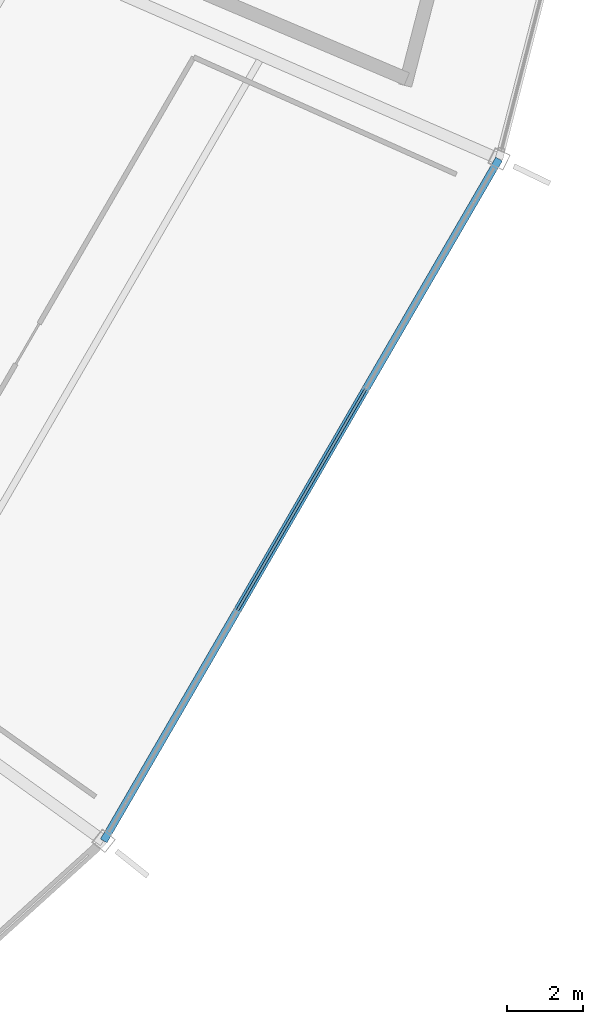
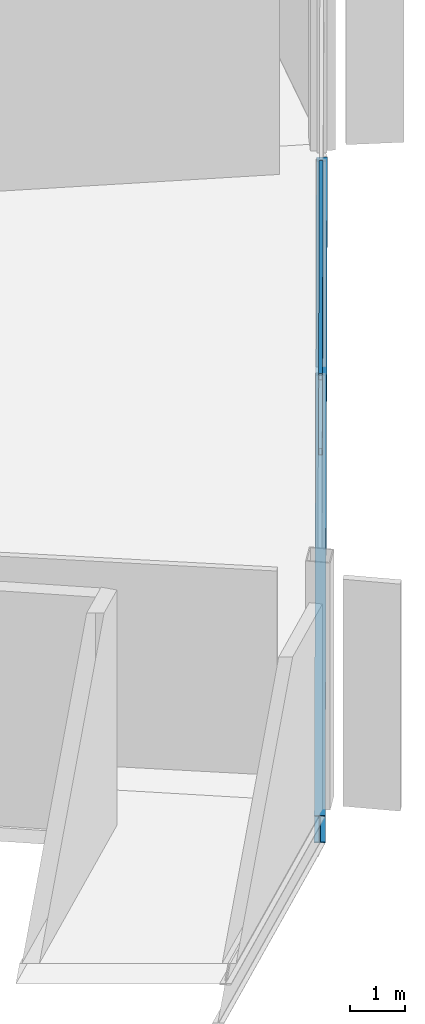
# One storey, part 62 of 186: 2 members, 1 beam, 1 element without a shape of its own.
"""IFC4 building model written with IfcOpenShell, lengths in metres."""

from ifc_helpers import new_model, si_unit, direction, frame, origin, origin_2d, place, context, subcontext, project, spatial, hollow_rectangle, i_section, extrude, material, layer, layer_set, material_profile, profile_set, type_object, element, aggregate, save


model = new_model("IFC4")

# Units and contexts
model_context = context("Model", 3, precision=1e-05, world=origin(), true_north=direction((0.0, 1.0)))
body_context = subcontext(model_context, "Body", "Model", "MODEL_VIEW")
ifc_project = project(units=[si_unit("LENGTHUNIT", "METRE"), si_unit("AREAUNIT", "SQUARE_METRE"), si_unit("VOLUMEUNIT", "CUBIC_METRE"), si_unit("PLANEANGLEUNIT", "RADIAN"), si_unit("MASSUNIT", "GRAM", prefix="KILO")], contexts=[model_context])

# Site, building, storey
site_placement = place(None, origin())
site = spatial("IfcSite", under=ifc_project, at=site_placement, CompositionType="ELEMENT")
building_placement = place(site_placement, origin())
building = spatial("IfcBuilding", under=site, at=building_placement, Name="Kazemori Nagisa Stadium", CompositionType="ELEMENT")
storey_placement = place(building_placement, frame((0.0, 0.0, 20.39990234375)))
storey = spatial("IfcBuildingStorey", under=building, at=storey_placement, Name="L04", CompositionType="ELEMENT", Elevation=20.39990234375)

# Beam
ifc_material_1 = material(Name="Steel SN490B", Category="steel")
ifc_material_profile_1 = material_profile(ifc_material_1, i_section(OverallWidth=0.199951171875, OverallDepth=0.60009765625, WebThickness=0.010986328125, FlangeThickness=0.01708984375, FilletRadius=0.012939453125, at=origin_2d()), Name="H-600x200x11x17")
ifc_profile_set_1 = profile_set([ifc_material_profile_1], Name="Steel SN490B")
beam_type = type_object("IfcBeamType", Name="Beam_BS-H600", PredefinedType="SPANDREL", material=ifc_profile_set_1)
beam_placement = place(storey_placement, frame((201.495361328125, 45.332275390625, -0.599853515625), z_axis=(0.50161277459, 0.8650922635, 0.0), x_axis=(-0.8650922635, 0.50161277459, 0.0)))
element("IfcBeam", 1, at=beam_placement, inside=storey, type_object=beam_type, Name="Ring girder BS-H600 L04 R3-26", PredefinedType="SPANDREL", context=body_context, shape_type="SweptSolid", body=[
    extrude(i_section(OverallWidth=0.199951171875, OverallDepth=0.60009765625, WebThickness=0.010986328125, FlangeThickness=0.01708984375, FilletRadius=0.012939453125, at=origin_2d()), origin(), (0.0, 0.0, 1.0), 20.71240234375),
])

# Curtain wall, members
ifc_material_2 = material(Name="Anodised aluminium 6063-T5", Category="aluminium")
ifc_layer = layer(ifc_material_2, 0.179931640625, Name="Anodised aluminium 6063-T5", Category="aluminium")
ifc_layer_set = layer_set([ifc_layer], Name="Anodised aluminium 6063-T5")
curtain_wall_type = type_object("IfcCurtainWallType", Name="CW_L04R3_101", PredefinedType="USERDEFINED", material=ifc_layer_set)
curtain_wall_placement = place(storey_placement, origin())
curtain_wall = element("IfcCurtainWall", 2, at=curtain_wall_placement, inside=storey, type_object=curtain_wall_type, Name="Unitised curtain wall CW-L04R3-101 L04", ObjectType="UNITISED CURTAIN WALL", PredefinedType="USERDEFINED")
ifc_material_3 = material(Name="Aluminium 6063-T5 anodised", Category="aluminium")
ifc_material_profile_2 = material_profile(ifc_material_3, hollow_rectangle(XDim=0.070068359375, YDim=0.139892578125, WallThickness=0.00390625, at=origin_2d()), Name="ALU-TRAN-70x140x4")
ifc_profile_set_2 = profile_set([ifc_material_profile_2], Name="Aluminium 6063-T5 anodised")
member_type = type_object("IfcMemberType", Name="Transom_T01", PredefinedType="USERDEFINED", material=ifc_profile_set_2)
member_1_placement = place(storey_placement, frame((205.01123046875, 51.39599609375, 2.80859375), z_axis=(0.50161984125, 0.865088165948, 0.0), x_axis=(-0.865088165948, 0.50161984125, 0.0)))
member_1 = element("IfcMember", 3, at=member_1_placement, type_object=member_type, Name="Curtain wall transom CW-L04R3-101-T2-mid", ObjectType="TRANSOM", PredefinedType="USERDEFINED", context=body_context, shape_type="SweptSolid", body=[
    extrude(hollow_rectangle(XDim=0.070068359375, YDim=0.139892578125, WallThickness=0.00390625, at=origin_2d()), origin(), (0.0, 0.0, 1.0), 6.694091796875),
])
member_2_placement = place(storey_placement, frame((205.01123046875, 51.39599609375, 4.460205078125), z_axis=(0.50161984125, 0.865088165948, 0.0), x_axis=(-0.865088165948, 0.50161984125, 0.0)))
member_2 = element("IfcMember", 4, at=member_2_placement, type_object=member_type, Name="Curtain wall transom CW-L04R3-101-T2-head", ObjectType="TRANSOM", PredefinedType="USERDEFINED", context=body_context, shape_type="SweptSolid", body=[
    extrude(hollow_rectangle(XDim=0.070068359375, YDim=0.139892578125, WallThickness=0.00390625, at=origin_2d()), origin(), (0.0, 0.0, 1.0), 6.694091796875),
])
aggregate(curtain_wall, [member_1, member_2])

save(model, "model.ifc")
